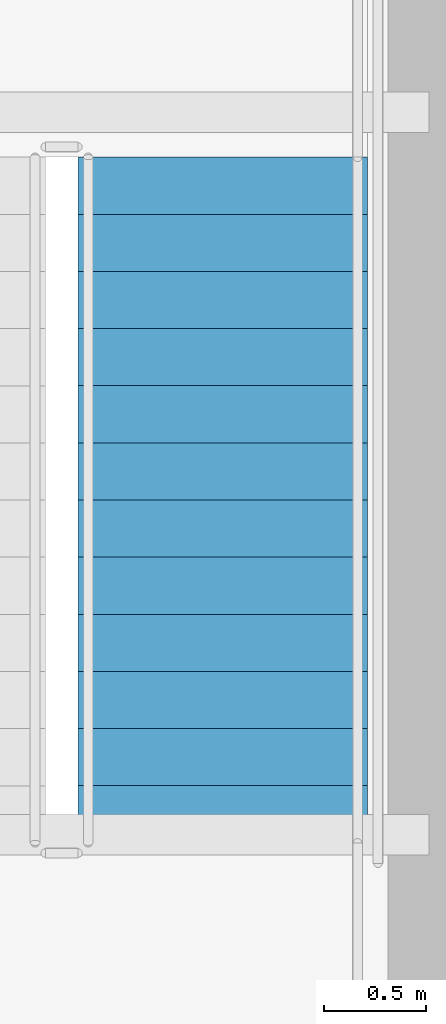
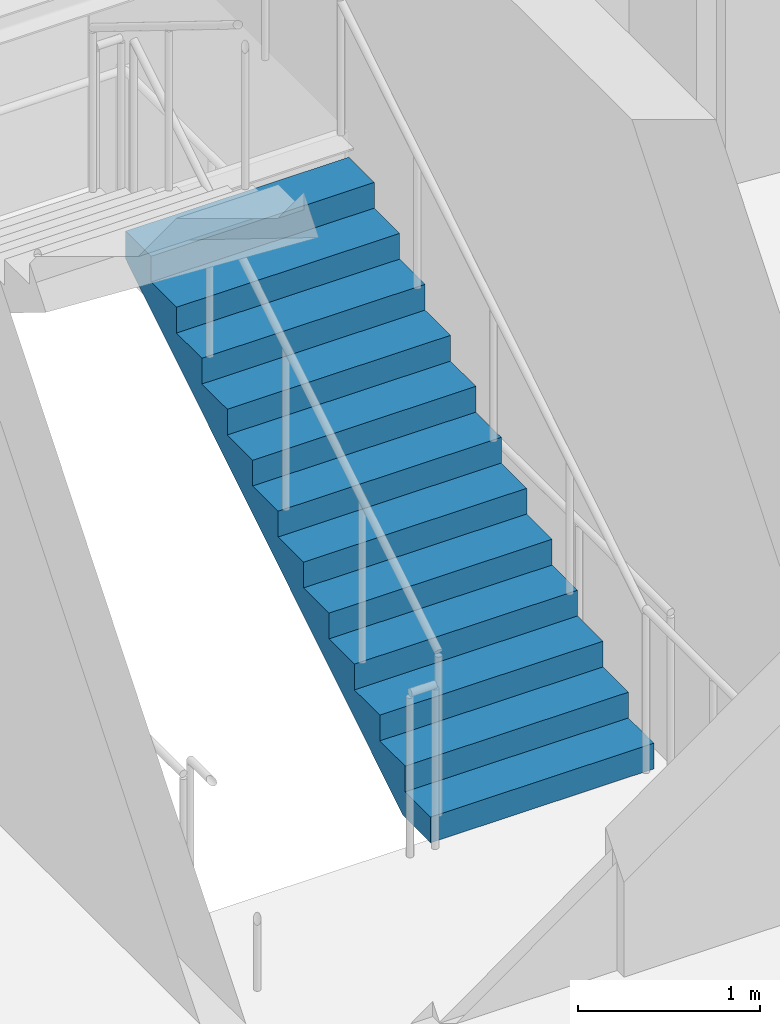
# One storey, part 21 of 25: 1 stair flight, 1 element without a shape of its own.
"""IFC4 building model written with IfcOpenShell, lengths in metres."""

from ifc_helpers import new_model, si_unit, direction, frame, origin, place, context, subcontext, project, spatial, polyline, outline, extrude, material, type_object, element, aggregate, save


model = new_model("IFC4")

# Units and contexts
model_context = context("Model", 3, precision=1e-05, world=origin(), true_north=direction((0.0, 1.0)))
body_context = subcontext(model_context, "Body", "Model", "MODEL_VIEW")
ifc_project = project(units=[si_unit("LENGTHUNIT", "METRE"), si_unit("AREAUNIT", "SQUARE_METRE"), si_unit("VOLUMEUNIT", "CUBIC_METRE"), si_unit("PLANEANGLEUNIT", "RADIAN"), si_unit("MASSUNIT", "GRAM", prefix="KILO")], contexts=[model_context])

# Site, building, storey
site_placement = place(None, origin())
site = spatial("IfcSite", under=ifc_project, at=site_placement, CompositionType="ELEMENT")
building_placement = place(site_placement, origin())
building = spatial("IfcBuilding", under=site, at=building_placement, Name="Yelkora Congress Tower", CompositionType="ELEMENT")
storey_placement = place(building_placement, frame((0.0, 0.0, 299.89990234375)))
storey = spatial("IfcBuildingStorey", under=building, at=storey_placement, Name="L84", CompositionType="ELEMENT", Elevation=299.89990234375)

# Stair, stair flight
ifc_material = material(Name="Concrete C40/50", Category="concrete")
stair_type = type_object("IfcStairType", Name="STAIR-HT-1420-R26-173", PredefinedType="HALF_TURN_STAIR", material=ifc_material)
stair_placement = place(storey_placement, origin())
stair = element("IfcStair", 1, at=stair_placement, inside=storey, type_object=stair_type, Name="East Core Protected Exit Stair ST-02 (L84)", PredefinedType="HALF_TURN_STAIR")
stair_flight_type = type_object("IfcStairFlightType", Name="FLIGHT-1420-N13-R173-G280", PredefinedType="STRAIGHT", material=ifc_material)
stair_flight_placement = place(storey_placement, frame((52.75, 39.60009765625, 0.0), z_axis=(0.0, 0.0, 1.0), x_axis=(0.0, 1.0, 0.0)))
stair_flight = element("IfcStairFlight", 2, at=stair_flight_placement, type_object=stair_flight_type, Name="ST-02 L84 Flight 1", NumberOfRisers=13, NumberOfTreads=12, PredefinedType="STRAIGHT", RiserHeight=0.173076923, TreadLength=0.28, context=body_context, shape_type="SweptSolid", body=[
    extrude(outline(polyline([(0.0, 0.0), (0.0, 0.173095703125), (0.280029296875, 0.173095703125), (0.280029296875, 0.34619140625), (0.56005859375, 0.34619140625), (0.56005859375, 0.519287109375), (0.840087890625, 0.519287109375), (0.840087890625, 0.6923828125), (1.1201171875, 0.6923828125), (1.1201171875, 0.865478515625), (1.39990234375, 0.865478515625), (1.39990234375, 1.03857421875), (1.679931640625, 1.03857421875), (1.679931640625, 1.21142578125), (1.9599609375, 1.21142578125), (1.9599609375, 1.384521484375), (2.239990234375, 1.384521484375), (2.239990234375, 1.5576171875), (2.52001953125, 1.5576171875), (2.52001953125, 1.730712890625), (2.800048828125, 1.730712890625), (2.800048828125, 1.90380859375), (3.080078125, 1.90380859375), (3.080078125, 2.076904296875), (3.360107421875, 2.076904296875), (3.360107421875, 2.25), (3.360107421875, 1.888916015625), (0.30419921875, 0.0), (0.0, 0.0)])), frame((0.0, 0.7099609375, 0.0), z_axis=(0.0, -1.0, 0.0), x_axis=(1.0, 0.0, 0.0)), (0.0, 0.0, 1.0), 1.419921875),
])
aggregate(stair, [stair_flight])

save(model, "model.ifc")
